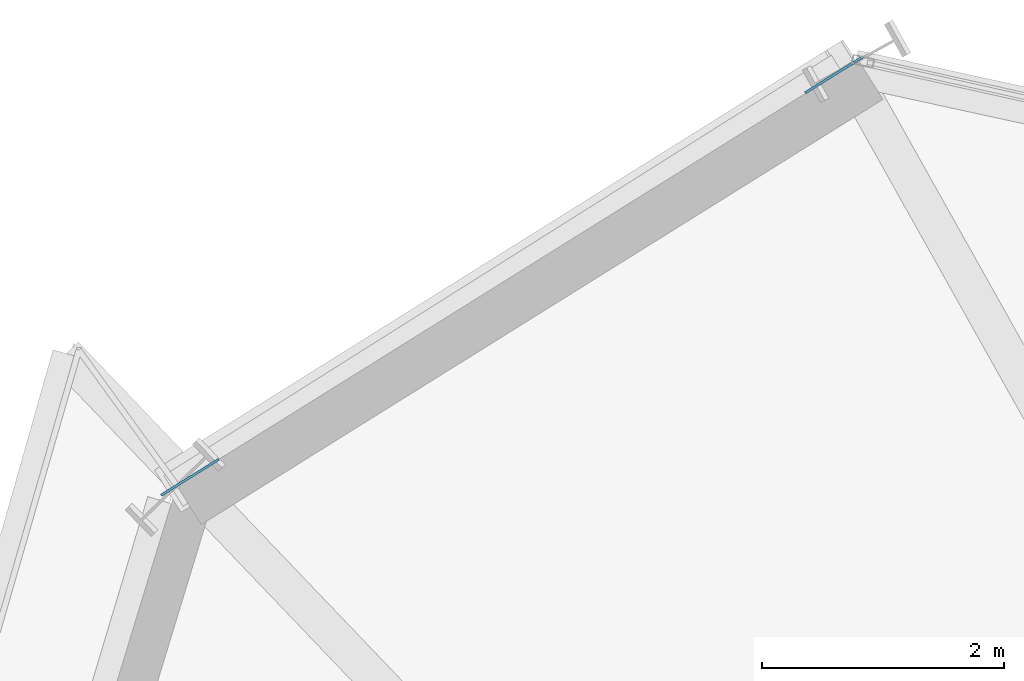
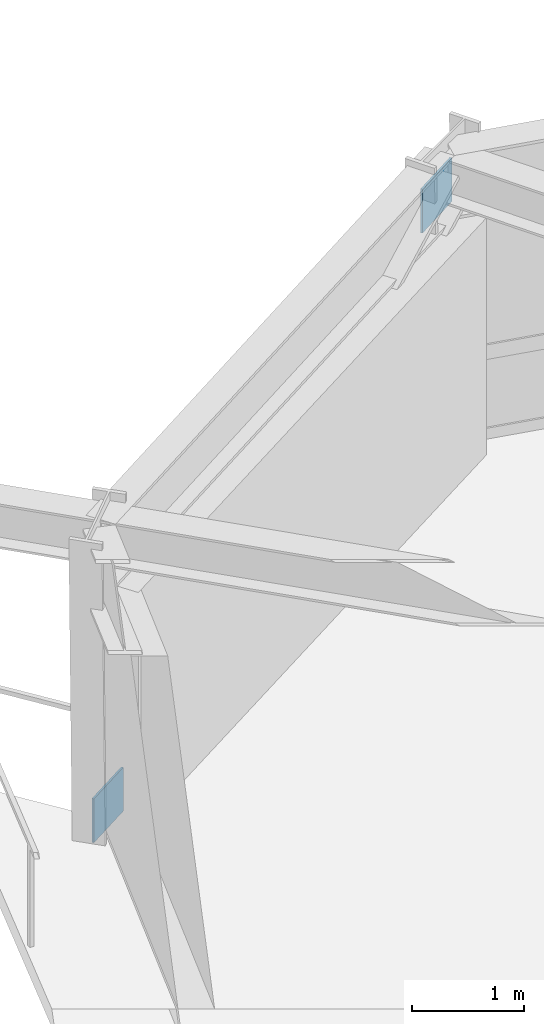
# One storey, part 17 of 24: 2 plates.
"""IFC4 building model written with IfcOpenShell, lengths in metres."""

from ifc_helpers import new_model, si_unit, direction, frame, origin, origin_2d, place, context, subcontext, project, spatial, rectangle, extrude, source, transform, mapped, material, type_object, element, save


model = new_model("IFC4")

# Units and contexts
model_context = context("Model", 3, precision=1e-05, world=origin(), true_north=direction((0.0, 1.0)))
body_context = subcontext(model_context, "Body", "Model", "MODEL_VIEW")
ifc_project = project(units=[si_unit("LENGTHUNIT", "METRE"), si_unit("AREAUNIT", "SQUARE_METRE"), si_unit("VOLUMEUNIT", "CUBIC_METRE"), si_unit("PLANEANGLEUNIT", "RADIAN"), si_unit("MASSUNIT", "GRAM", prefix="KILO")], contexts=[model_context])

# Site, building, storey
site_placement = place(None, origin())
site = spatial("IfcSite", under=ifc_project, at=site_placement, CompositionType="ELEMENT")
building_placement = place(site_placement, origin())
building = spatial("IfcBuilding", under=site, at=building_placement, Name="Olszyna Solenne Hotel", CompositionType="ELEMENT")
storey_placement = place(building_placement, frame((0.0, 0.0, 36.39990234375)))
storey = spatial("IfcBuildingStorey", under=building, at=storey_placement, Name="L08", CompositionType="ELEMENT", Elevation=36.39990234375)

# Plates
ifc_material = material(Name="Steel S355J2", Category="steel")
plate_type = type_object("IfcPlateType", Name="GP-ND2", PredefinedType="USERDEFINED", material=ifc_material)
shared_shape = source(origin(), body_context, "Body", "SweptSolid", [
    extrude(rectangle(XDim=0.56005859375, YDim=0.02001953125, at=origin_2d()), origin(), (0.0, 0.0, 1.0), 0.47998046875),
])
for number, where, z_axis, x_axis, name in (
    (1, (20.508056640625, 44.747314453125, -0.1728515625), (0.0, 0.0, 1.0), (0.848048096156, 0.529919264233, 0.0), "Brace end connection gusset plate GP-ND2 EP-BR-L08-2-1"),
    (2, (25.823486328125, 48.068603515625, 2.6181640625), (0.0, 0.0, 1.0), (0.848048096156, 0.529919264233, 0.0), "Brace end connection gusset plate GP-ND2 EP-BR-L08-2-2"),
):
    element("IfcPlate", number, at=place(storey_placement, frame(where, z_axis=z_axis, x_axis=x_axis)), inside=storey, type_object=plate_type, Name=name, ObjectType="GUSSET_PLATE", PredefinedType="USERDEFINED", context=body_context, shape_type="MappedRepresentation", body=[
        mapped(shared_shape, transform((0.0, 0.0, 0.0), x_axis=(1.0, 0.0, 0.0), y_axis=(0.0, 1.0, 0.0), z_axis=(0.0, 0.0, 1.0), scale=1.0)),
    ])

save(model, "model.ifc")
